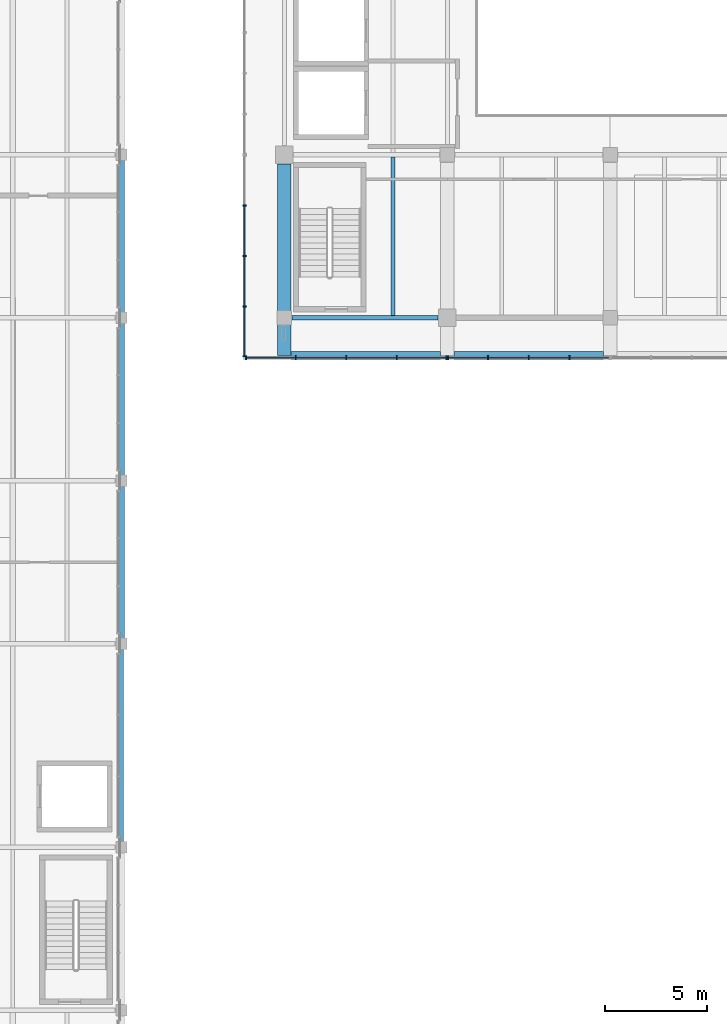
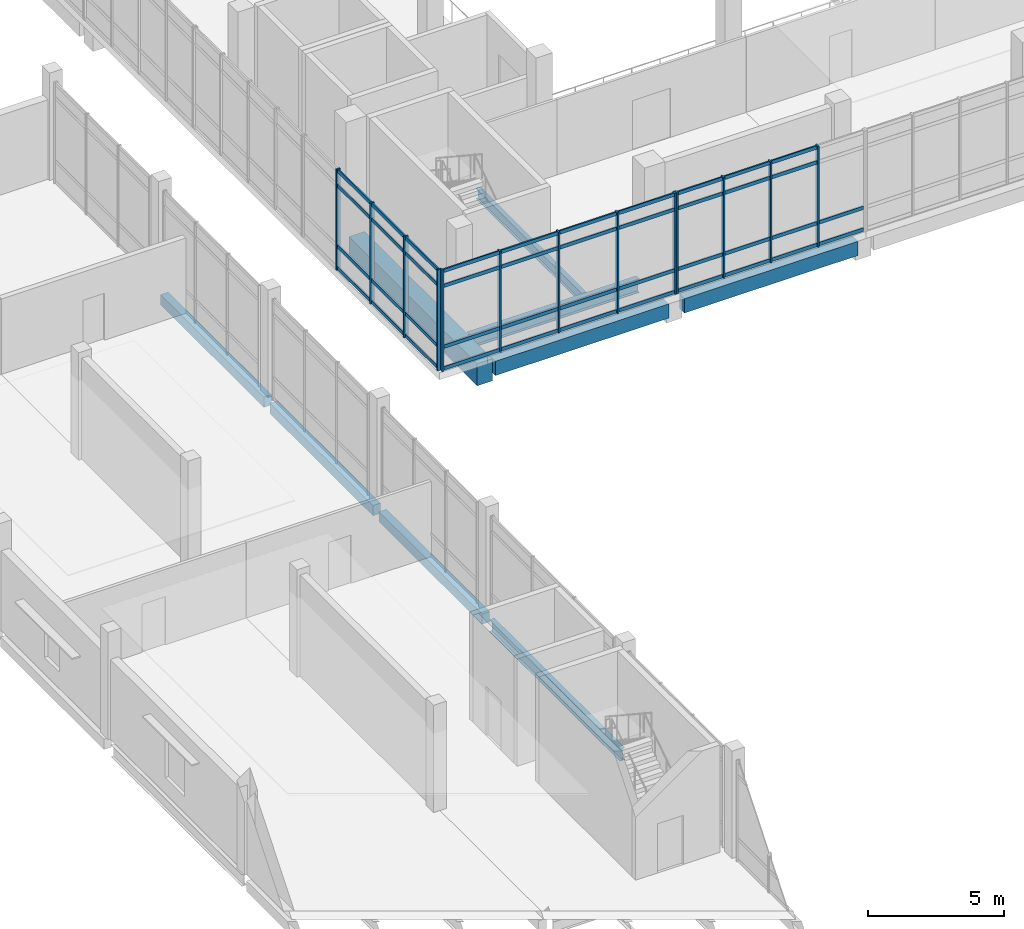
# One storey, part 13 of 47: 55 members, 9 beams, 3 elements without a shape of their own.
"""IFC4 building model written with IfcOpenShell, lengths in metres."""

from ifc_helpers import new_model, si_unit, direction, frame, origin, origin_2d, place, context, subcontext, project, spatial, rectangle, i_section, extrude, material, material_profile, profile_set, type_object, element, aggregate, save


model = new_model("IFC4")

# Units and contexts
model_context = context("Model", 3, precision=1e-05, world=origin(), true_north=direction((0.0, 1.0)))
body_context = subcontext(model_context, "Body", "Model", "MODEL_VIEW")
ifc_project = project(units=[si_unit("LENGTHUNIT", "METRE"), si_unit("AREAUNIT", "SQUARE_METRE"), si_unit("VOLUMEUNIT", "CUBIC_METRE"), si_unit("PLANEANGLEUNIT", "RADIAN"), si_unit("MASSUNIT", "GRAM", prefix="KILO")], contexts=[model_context])

# Site, building, storey
site_placement = place(None, origin())
site = spatial("IfcSite", under=ifc_project, at=site_placement, CompositionType="ELEMENT")
building_placement = place(site_placement, origin())
building = spatial("IfcBuilding", under=site, at=building_placement, Name="Pecanmere Concourse Central Library", CompositionType="ELEMENT")
storey_placement = place(building_placement, frame((0.0, 0.0, 15.300048828125)))
storey = spatial("IfcBuildingStorey", under=building, at=storey_placement, Name="L04", CompositionType="ELEMENT", Elevation=15.300048828125)

# Beams
ifc_material_1 = material(Name="Concrete C40/50", Category="concrete")
ifc_material_profile_1 = material_profile(ifc_material_1, rectangle(XDim=0.320068359375, YDim=0.4599609375, at=origin_2d()), Name="RC 320x460")
ifc_profile_set_1 = profile_set([ifc_material_profile_1], Name="Concrete C40/50")
beam_type_1 = type_object("IfcBeamType", Name="BM_320x460", PredefinedType="BEAM", material=ifc_profile_set_1)
for number, where, z_axis, x_axis, name in (
    (1, (64.0, 74.219970703125, -0.550048828125), (0.0, 1.0, 0.0), (-1.0, 0.0, 0.0), "Primary Girder Y L04-2267"),
    (2, (64.0, 82.219970703125, -0.550048828125), (0.0, 1.0, 0.0), (-1.0, 0.0, 0.0), "Primary Girder Y L04-2268"),
    (3, (64.0, 90.219970703125, -0.550048828125), (0.0, 1.0, 0.0), (-1.0, 0.0, 0.0), "Primary Girder Y L04-2269"),
):
    element("IfcBeam", number, at=place(storey_placement, frame(where, z_axis=z_axis, x_axis=x_axis)), inside=storey, type_object=beam_type_1, Name=name, PredefinedType="BEAM", context=body_context, shape_type="SweptSolid", body=[
        extrude(rectangle(XDim=0.320068359375, YDim=0.4599609375, at=origin_2d()), origin(), (0.0, 0.0, 1.0), 7.56005859375),
    ])

# Curtain wall, members
ifc_material_2 = material(Name="Anodized bronze aluminium alloy 6063-T6", Category="aluminium")
curtain_wall_type = type_object("IfcCurtainWallType", Name="CW_PLUMB_BANDED", PredefinedType="USERDEFINED", material=ifc_material_2)
curtain_wall_1_placement = place(storey_placement, origin())
curtain_wall_1 = element("IfcCurtainWall", 4, at=curtain_wall_1_placement, inside=storey, type_object=curtain_wall_type, Name="Unitised Curtain Wall CW-02 L04-042", ObjectType="UNITISED CURTAIN WALL", PredefinedType="USERDEFINED")
ifc_material_3 = material(Name="Anodized bronze aluminium alloy 6063-T6", Category="aluminium")
ifc_material_profile_2 = material_profile(ifc_material_3, rectangle(XDim=0.06494140625, YDim=0.179931640625, at=origin_2d()), Name="AL 65x180")
ifc_profile_set_2 = profile_set([ifc_material_profile_2], Name="Anodized bronze aluminium alloy 6063-T6")
member_type_1 = type_object("IfcMemberType", Name="CWM_180x65", PredefinedType="MULLION", material=ifc_profile_set_2)
member_1_placement = place(storey_placement, frame((70.111083984375, 88.03857421875, 0.0), z_axis=(0.0, 0.0, 1.0), x_axis=(1.0, 0.0, 0.0)))
member_1 = element("IfcMember", 5, at=member_1_placement, type_object=member_type_1, Name="CW-02 Mullion 1", PredefinedType="MULLION", context=body_context, shape_type="SweptSolid", body=[
    extrude(rectangle(XDim=0.06494140625, YDim=0.179931640625, at=origin_2d()), origin(), (0.0, 0.0, 1.0), 4.52001953125),
])
member_2_placement = place(storey_placement, frame((72.5576171875, 88.03857421875, 0.0), z_axis=(0.0, 0.0, 1.0), x_axis=(1.0, 0.0, 0.0)))
member_2 = element("IfcMember", 6, at=member_2_placement, type_object=member_type_1, Name="CW-02 Mullion 2", PredefinedType="MULLION", context=body_context, shape_type="SweptSolid", body=[
    extrude(rectangle(XDim=0.06494140625, YDim=0.179931640625, at=origin_2d()), origin(), (0.0, 0.0, 1.0), 4.52001953125),
])
member_3_placement = place(storey_placement, frame((75.036865234375, 88.03857421875, 0.0), z_axis=(0.0, 0.0, 1.0), x_axis=(1.0, 0.0, 0.0)))
member_3 = element("IfcMember", 7, at=member_3_placement, type_object=member_type_1, Name="CW-02 Mullion 3", PredefinedType="MULLION", context=body_context, shape_type="SweptSolid", body=[
    extrude(rectangle(XDim=0.06494140625, YDim=0.179931640625, at=origin_2d()), origin(), (0.0, 0.0, 1.0), 4.52001953125),
])
member_4_placement = place(storey_placement, frame((77.515869140625, 88.03857421875, 0.0), z_axis=(0.0, 0.0, 1.0), x_axis=(1.0, 0.0, 0.0)))
member_4 = element("IfcMember", 8, at=member_4_placement, type_object=member_type_1, Name="CW-02 Mullion 4", PredefinedType="MULLION", context=body_context, shape_type="SweptSolid", body=[
    extrude(rectangle(XDim=0.06494140625, YDim=0.179931640625, at=origin_2d()), origin(), (0.0, 0.0, 1.0), 4.52001953125),
])
member_5_placement = place(storey_placement, frame((79.96240234375, 88.03857421875, 0.0), z_axis=(0.0, 0.0, 1.0), x_axis=(1.0, 0.0, 0.0)))
member_5 = element("IfcMember", 9, at=member_5_placement, type_object=member_type_1, Name="CW-02 Mullion 5", PredefinedType="MULLION", context=body_context, shape_type="SweptSolid", body=[
    extrude(rectangle(XDim=0.06494140625, YDim=0.179931640625, at=origin_2d()), origin(), (0.0, 0.0, 1.0), 4.52001953125),
])

curtain_wall_2_placement = place(storey_placement, origin())
curtain_wall_2 = element("IfcCurtainWall", 10, at=curtain_wall_2_placement, inside=storey, type_object=curtain_wall_type, Name="Unitised Curtain Wall CW-02 L04-043", ObjectType="UNITISED CURTAIN WALL", PredefinedType="USERDEFINED")
member_6_placement = place(storey_placement, frame((80.03759765625, 88.03857421875, 0.0), z_axis=(0.0, 0.0, 1.0), x_axis=(1.0, 0.0, 0.0)))
member_6 = element("IfcMember", 11, at=member_6_placement, type_object=member_type_1, Name="CW-02 Mullion 1", PredefinedType="MULLION", context=body_context, shape_type="SweptSolid", body=[
    extrude(rectangle(XDim=0.06494140625, YDim=0.179931640625, at=origin_2d()), origin(), (0.0, 0.0, 1.0), 4.52001953125),
])
member_7_placement = place(storey_placement, frame((82.00244140625, 88.03857421875, 0.0), z_axis=(0.0, 0.0, 1.0), x_axis=(1.0, 0.0, 0.0)))
member_7 = element("IfcMember", 12, at=member_7_placement, type_object=member_type_1, Name="CW-02 Mullion 2", PredefinedType="MULLION", context=body_context, shape_type="SweptSolid", body=[
    extrude(rectangle(XDim=0.06494140625, YDim=0.179931640625, at=origin_2d()), origin(), (0.0, 0.0, 1.0), 4.52001953125),
])
member_8_placement = place(storey_placement, frame((84.0, 88.03857421875, 0.0), z_axis=(0.0, 0.0, 1.0), x_axis=(1.0, 0.0, 0.0)))
member_8 = element("IfcMember", 13, at=member_8_placement, type_object=member_type_1, Name="CW-02 Mullion 3", PredefinedType="MULLION", context=body_context, shape_type="SweptSolid", body=[
    extrude(rectangle(XDim=0.06494140625, YDim=0.179931640625, at=origin_2d()), origin(), (0.0, 0.0, 1.0), 4.52001953125),
])
member_9_placement = place(storey_placement, frame((85.99755859375, 88.03857421875, 0.0), z_axis=(0.0, 0.0, 1.0), x_axis=(1.0, 0.0, 0.0)))
member_9 = element("IfcMember", 14, at=member_9_placement, type_object=member_type_1, Name="CW-02 Mullion 4", PredefinedType="MULLION", context=body_context, shape_type="SweptSolid", body=[
    extrude(rectangle(XDim=0.06494140625, YDim=0.179931640625, at=origin_2d()), origin(), (0.0, 0.0, 1.0), 4.52001953125),
])

curtain_wall_3_placement = place(storey_placement, origin())
curtain_wall_3 = element("IfcCurtainWall", 15, at=curtain_wall_3_placement, inside=storey, type_object=curtain_wall_type, Name="Unitised Curtain Wall CW-02 L04-053", ObjectType="UNITISED CURTAIN WALL", PredefinedType="USERDEFINED")
member_10_placement = place(storey_placement, frame((70.03857421875, 95.515869140625, 0.0), z_axis=(0.0, 0.0, 1.0), x_axis=(0.0, -1.0, 0.0)))
member_10 = element("IfcMember", 16, at=member_10_placement, type_object=member_type_1, Name="CW-02 Mullion 2", PredefinedType="MULLION", context=body_context, shape_type="SweptSolid", body=[
    extrude(rectangle(XDim=0.06494140625, YDim=0.179931640625, at=origin_2d()), origin(), (0.0, 0.0, 1.0), 4.52001953125),
])
member_11_placement = place(storey_placement, frame((70.03857421875, 93.036865234375, 0.0), z_axis=(0.0, 0.0, 1.0), x_axis=(0.0, -1.0, 0.0)))
member_11 = element("IfcMember", 17, at=member_11_placement, type_object=member_type_1, Name="CW-02 Mullion 3", PredefinedType="MULLION", context=body_context, shape_type="SweptSolid", body=[
    extrude(rectangle(XDim=0.06494140625, YDim=0.179931640625, at=origin_2d()), origin(), (0.0, 0.0, 1.0), 4.52001953125),
])
member_12_placement = place(storey_placement, frame((70.03857421875, 90.5576171875, 0.0), z_axis=(0.0, 0.0, 1.0), x_axis=(0.0, -1.0, 0.0)))
member_12 = element("IfcMember", 18, at=member_12_placement, type_object=member_type_1, Name="CW-02 Mullion 4", PredefinedType="MULLION", context=body_context, shape_type="SweptSolid", body=[
    extrude(rectangle(XDim=0.06494140625, YDim=0.179931640625, at=origin_2d()), origin(), (0.0, 0.0, 1.0), 4.52001953125),
])
member_13_placement = place(storey_placement, frame((70.03857421875, 88.111083984375, 0.0), z_axis=(0.0, 0.0, 1.0), x_axis=(0.0, -1.0, 0.0)))
member_13 = element("IfcMember", 19, at=member_13_placement, type_object=member_type_1, Name="CW-02 Mullion 5", PredefinedType="MULLION", context=body_context, shape_type="SweptSolid", body=[
    extrude(rectangle(XDim=0.06494140625, YDim=0.179931640625, at=origin_2d()), origin(), (0.0, 0.0, 1.0), 4.52001953125),
])

# Member
ifc_material_4 = material(Name="Anodized bronze aluminium alloy 6063-T6", Category="aluminium")
ifc_material_profile_3 = material_profile(ifc_material_4, rectangle(XDim=0.06005859375, YDim=0.159912109375, at=origin_2d()), Name="AL 60x160")
ifc_profile_set_3 = profile_set([ifc_material_profile_3], Name="Anodized bronze aluminium alloy 6063-T6")
member_type_2 = type_object("IfcMemberType", Name="CWT_160x60", PredefinedType="USERDEFINED", material=ifc_profile_set_3)
member_14_placement = place(storey_placement, frame((70.1435546875, 88.03857421875, 0.079833984375), z_axis=(1.0, 0.0, 0.0), x_axis=(0.0, 1.0, 0.0)))
member_14 = element("IfcMember", 20, at=member_14_placement, type_object=member_type_2, Name="CW-02 Transom 1.1", ObjectType="TRANSOM", PredefinedType="USERDEFINED", context=body_context, shape_type="SweptSolid", body=[
    extrude(rectangle(XDim=0.06005859375, YDim=0.159912109375, at=origin_2d()), origin(), (0.0, 0.0, 1.0), 2.381591796875),
])

member_15_placement = place(storey_placement, frame((70.1435546875, 88.03857421875, 1.050048828125), z_axis=(1.0, 0.0, 0.0), x_axis=(0.0, 1.0, 0.0)))
member_15 = element("IfcMember", 21, at=member_15_placement, type_object=member_type_2, Name="CW-02 Transom 1.2", ObjectType="TRANSOM", PredefinedType="USERDEFINED", context=body_context, shape_type="SweptSolid", body=[
    extrude(rectangle(XDim=0.06005859375, YDim=0.159912109375, at=origin_2d()), origin(), (0.0, 0.0, 1.0), 2.381591796875),
])

member_16_placement = place(storey_placement, frame((70.1435546875, 88.03857421875, 3.77001953125), z_axis=(1.0, 0.0, 0.0), x_axis=(0.0, 1.0, 0.0)))
member_16 = element("IfcMember", 22, at=member_16_placement, type_object=member_type_2, Name="CW-02 Transom 1.3", ObjectType="TRANSOM", PredefinedType="USERDEFINED", context=body_context, shape_type="SweptSolid", body=[
    extrude(rectangle(XDim=0.06005859375, YDim=0.159912109375, at=origin_2d()), origin(), (0.0, 0.0, 1.0), 2.381591796875),
])

member_17_placement = place(storey_placement, frame((70.1435546875, 88.03857421875, 4.43994140625), z_axis=(1.0, 0.0, 0.0), x_axis=(0.0, 1.0, 0.0)))
member_17 = element("IfcMember", 23, at=member_17_placement, type_object=member_type_2, Name="CW-02 Transom 1.4", ObjectType="TRANSOM", PredefinedType="USERDEFINED", context=body_context, shape_type="SweptSolid", body=[
    extrude(rectangle(XDim=0.06005859375, YDim=0.159912109375, at=origin_2d()), origin(), (0.0, 0.0, 1.0), 2.381591796875),
])

member_18_placement = place(storey_placement, frame((72.590087890625, 88.03857421875, 0.079833984375), z_axis=(1.0, 0.0, 0.0), x_axis=(0.0, 1.0, 0.0)))
member_18 = element("IfcMember", 24, at=member_18_placement, type_object=member_type_2, Name="CW-02 Transom 2.1", ObjectType="TRANSOM", PredefinedType="USERDEFINED", context=body_context, shape_type="SweptSolid", body=[
    extrude(rectangle(XDim=0.06005859375, YDim=0.159912109375, at=origin_2d()), origin(), (0.0, 0.0, 1.0), 2.4140625),
])

member_19_placement = place(storey_placement, frame((72.590087890625, 88.03857421875, 1.050048828125), z_axis=(1.0, 0.0, 0.0), x_axis=(0.0, 1.0, 0.0)))
member_19 = element("IfcMember", 25, at=member_19_placement, type_object=member_type_2, Name="CW-02 Transom 2.2", ObjectType="TRANSOM", PredefinedType="USERDEFINED", context=body_context, shape_type="SweptSolid", body=[
    extrude(rectangle(XDim=0.06005859375, YDim=0.159912109375, at=origin_2d()), origin(), (0.0, 0.0, 1.0), 2.4140625),
])

member_20_placement = place(storey_placement, frame((72.590087890625, 88.03857421875, 3.77001953125), z_axis=(1.0, 0.0, 0.0), x_axis=(0.0, 1.0, 0.0)))
member_20 = element("IfcMember", 26, at=member_20_placement, type_object=member_type_2, Name="CW-02 Transom 2.3", ObjectType="TRANSOM", PredefinedType="USERDEFINED", context=body_context, shape_type="SweptSolid", body=[
    extrude(rectangle(XDim=0.06005859375, YDim=0.159912109375, at=origin_2d()), origin(), (0.0, 0.0, 1.0), 2.4140625),
])

member_21_placement = place(storey_placement, frame((72.590087890625, 88.03857421875, 4.43994140625), z_axis=(1.0, 0.0, 0.0), x_axis=(0.0, 1.0, 0.0)))
member_21 = element("IfcMember", 27, at=member_21_placement, type_object=member_type_2, Name="CW-02 Transom 2.4", ObjectType="TRANSOM", PredefinedType="USERDEFINED", context=body_context, shape_type="SweptSolid", body=[
    extrude(rectangle(XDim=0.06005859375, YDim=0.159912109375, at=origin_2d()), origin(), (0.0, 0.0, 1.0), 2.4140625),
])

member_22_placement = place(storey_placement, frame((75.0693359375, 88.03857421875, 0.079833984375), z_axis=(1.0, 0.0, 0.0), x_axis=(0.0, 1.0, 0.0)))
member_22 = element("IfcMember", 28, at=member_22_placement, type_object=member_type_2, Name="CW-02 Transom 3.1", ObjectType="TRANSOM", PredefinedType="USERDEFINED", context=body_context, shape_type="SweptSolid", body=[
    extrude(rectangle(XDim=0.06005859375, YDim=0.159912109375, at=origin_2d()), origin(), (0.0, 0.0, 1.0), 2.4140625),
])

member_23_placement = place(storey_placement, frame((75.0693359375, 88.03857421875, 1.050048828125), z_axis=(1.0, 0.0, 0.0), x_axis=(0.0, 1.0, 0.0)))
member_23 = element("IfcMember", 29, at=member_23_placement, type_object=member_type_2, Name="CW-02 Transom 3.2", ObjectType="TRANSOM", PredefinedType="USERDEFINED", context=body_context, shape_type="SweptSolid", body=[
    extrude(rectangle(XDim=0.06005859375, YDim=0.159912109375, at=origin_2d()), origin(), (0.0, 0.0, 1.0), 2.4140625),
])

member_24_placement = place(storey_placement, frame((75.0693359375, 88.03857421875, 3.77001953125), z_axis=(1.0, 0.0, 0.0), x_axis=(0.0, 1.0, 0.0)))
member_24 = element("IfcMember", 30, at=member_24_placement, type_object=member_type_2, Name="CW-02 Transom 3.3", ObjectType="TRANSOM", PredefinedType="USERDEFINED", context=body_context, shape_type="SweptSolid", body=[
    extrude(rectangle(XDim=0.06005859375, YDim=0.159912109375, at=origin_2d()), origin(), (0.0, 0.0, 1.0), 2.4140625),
])

member_25_placement = place(storey_placement, frame((75.0693359375, 88.03857421875, 4.43994140625), z_axis=(1.0, 0.0, 0.0), x_axis=(0.0, 1.0, 0.0)))
member_25 = element("IfcMember", 31, at=member_25_placement, type_object=member_type_2, Name="CW-02 Transom 3.4", ObjectType="TRANSOM", PredefinedType="USERDEFINED", context=body_context, shape_type="SweptSolid", body=[
    extrude(rectangle(XDim=0.06005859375, YDim=0.159912109375, at=origin_2d()), origin(), (0.0, 0.0, 1.0), 2.4140625),
])

member_26_placement = place(storey_placement, frame((77.54833984375, 88.03857421875, 0.079833984375), z_axis=(1.0, 0.0, 0.0), x_axis=(0.0, 1.0, 0.0)))
member_26 = element("IfcMember", 32, at=member_26_placement, type_object=member_type_2, Name="CW-02 Transom 4.1", ObjectType="TRANSOM", PredefinedType="USERDEFINED", context=body_context, shape_type="SweptSolid", body=[
    extrude(rectangle(XDim=0.06005859375, YDim=0.159912109375, at=origin_2d()), origin(), (0.0, 0.0, 1.0), 2.381591796875),
])

member_27_placement = place(storey_placement, frame((77.54833984375, 88.03857421875, 1.050048828125), z_axis=(1.0, 0.0, 0.0), x_axis=(0.0, 1.0, 0.0)))
member_27 = element("IfcMember", 33, at=member_27_placement, type_object=member_type_2, Name="CW-02 Transom 4.2", ObjectType="TRANSOM", PredefinedType="USERDEFINED", context=body_context, shape_type="SweptSolid", body=[
    extrude(rectangle(XDim=0.06005859375, YDim=0.159912109375, at=origin_2d()), origin(), (0.0, 0.0, 1.0), 2.381591796875),
])

member_28_placement = place(storey_placement, frame((77.54833984375, 88.03857421875, 3.77001953125), z_axis=(1.0, 0.0, 0.0), x_axis=(0.0, 1.0, 0.0)))
member_28 = element("IfcMember", 34, at=member_28_placement, type_object=member_type_2, Name="CW-02 Transom 4.3", ObjectType="TRANSOM", PredefinedType="USERDEFINED", context=body_context, shape_type="SweptSolid", body=[
    extrude(rectangle(XDim=0.06005859375, YDim=0.159912109375, at=origin_2d()), origin(), (0.0, 0.0, 1.0), 2.381591796875),
])

member_29_placement = place(storey_placement, frame((77.54833984375, 88.03857421875, 4.43994140625), z_axis=(1.0, 0.0, 0.0), x_axis=(0.0, 1.0, 0.0)))
member_29 = element("IfcMember", 35, at=member_29_placement, type_object=member_type_2, Name="CW-02 Transom 4.4", ObjectType="TRANSOM", PredefinedType="USERDEFINED", context=body_context, shape_type="SweptSolid", body=[
    extrude(rectangle(XDim=0.06005859375, YDim=0.159912109375, at=origin_2d()), origin(), (0.0, 0.0, 1.0), 2.381591796875),
])

aggregate(curtain_wall_1, [member_1, member_2, member_3, member_4, member_5, member_14, member_15, member_16, member_17, member_18, member_19, member_20, member_21, member_22, member_23, member_24, member_25, member_26, member_27, member_28, member_29])

member_30_placement = place(storey_placement, frame((80.070068359375, 88.03857421875, 0.079833984375), z_axis=(1.0, 0.0, 0.0), x_axis=(0.0, 1.0, 0.0)))
member_30 = element("IfcMember", 36, at=member_30_placement, type_object=member_type_2, Name="CW-02 Transom 1.1", ObjectType="TRANSOM", PredefinedType="USERDEFINED", context=body_context, shape_type="SweptSolid", body=[
    extrude(rectangle(XDim=0.06005859375, YDim=0.159912109375, at=origin_2d()), origin(), (0.0, 0.0, 1.0), 1.89990234375),
])

member_31_placement = place(storey_placement, frame((80.070068359375, 88.03857421875, 1.050048828125), z_axis=(1.0, 0.0, 0.0), x_axis=(0.0, 1.0, 0.0)))
member_31 = element("IfcMember", 37, at=member_31_placement, type_object=member_type_2, Name="CW-02 Transom 1.2", ObjectType="TRANSOM", PredefinedType="USERDEFINED", context=body_context, shape_type="SweptSolid", body=[
    extrude(rectangle(XDim=0.06005859375, YDim=0.159912109375, at=origin_2d()), origin(), (0.0, 0.0, 1.0), 1.89990234375),
])

member_32_placement = place(storey_placement, frame((80.070068359375, 88.03857421875, 3.77001953125), z_axis=(1.0, 0.0, 0.0), x_axis=(0.0, 1.0, 0.0)))
member_32 = element("IfcMember", 38, at=member_32_placement, type_object=member_type_2, Name="CW-02 Transom 1.3", ObjectType="TRANSOM", PredefinedType="USERDEFINED", context=body_context, shape_type="SweptSolid", body=[
    extrude(rectangle(XDim=0.06005859375, YDim=0.159912109375, at=origin_2d()), origin(), (0.0, 0.0, 1.0), 1.89990234375),
])

member_33_placement = place(storey_placement, frame((80.070068359375, 88.03857421875, 4.43994140625), z_axis=(1.0, 0.0, 0.0), x_axis=(0.0, 1.0, 0.0)))
member_33 = element("IfcMember", 39, at=member_33_placement, type_object=member_type_2, Name="CW-02 Transom 1.4", ObjectType="TRANSOM", PredefinedType="USERDEFINED", context=body_context, shape_type="SweptSolid", body=[
    extrude(rectangle(XDim=0.06005859375, YDim=0.159912109375, at=origin_2d()), origin(), (0.0, 0.0, 1.0), 1.89990234375),
])

member_34_placement = place(storey_placement, frame((82.034912109375, 88.03857421875, 0.079833984375), z_axis=(1.0, 0.0, 0.0), x_axis=(0.0, 1.0, 0.0)))
member_34 = element("IfcMember", 40, at=member_34_placement, type_object=member_type_2, Name="CW-02 Transom 2.1", ObjectType="TRANSOM", PredefinedType="USERDEFINED", context=body_context, shape_type="SweptSolid", body=[
    extrude(rectangle(XDim=0.06005859375, YDim=0.159912109375, at=origin_2d()), origin(), (0.0, 0.0, 1.0), 1.9326171875),
])

member_35_placement = place(storey_placement, frame((82.034912109375, 88.03857421875, 1.050048828125), z_axis=(1.0, 0.0, 0.0), x_axis=(0.0, 1.0, 0.0)))
member_35 = element("IfcMember", 41, at=member_35_placement, type_object=member_type_2, Name="CW-02 Transom 2.2", ObjectType="TRANSOM", PredefinedType="USERDEFINED", context=body_context, shape_type="SweptSolid", body=[
    extrude(rectangle(XDim=0.06005859375, YDim=0.159912109375, at=origin_2d()), origin(), (0.0, 0.0, 1.0), 1.9326171875),
])

member_36_placement = place(storey_placement, frame((82.034912109375, 88.03857421875, 3.77001953125), z_axis=(1.0, 0.0, 0.0), x_axis=(0.0, 1.0, 0.0)))
member_36 = element("IfcMember", 42, at=member_36_placement, type_object=member_type_2, Name="CW-02 Transom 2.3", ObjectType="TRANSOM", PredefinedType="USERDEFINED", context=body_context, shape_type="SweptSolid", body=[
    extrude(rectangle(XDim=0.06005859375, YDim=0.159912109375, at=origin_2d()), origin(), (0.0, 0.0, 1.0), 1.9326171875),
])

member_37_placement = place(storey_placement, frame((82.034912109375, 88.03857421875, 4.43994140625), z_axis=(1.0, 0.0, 0.0), x_axis=(0.0, 1.0, 0.0)))
member_37 = element("IfcMember", 43, at=member_37_placement, type_object=member_type_2, Name="CW-02 Transom 2.4", ObjectType="TRANSOM", PredefinedType="USERDEFINED", context=body_context, shape_type="SweptSolid", body=[
    extrude(rectangle(XDim=0.06005859375, YDim=0.159912109375, at=origin_2d()), origin(), (0.0, 0.0, 1.0), 1.9326171875),
])

member_38_placement = place(storey_placement, frame((84.032470703125, 88.03857421875, 0.079833984375), z_axis=(1.0, 0.0, 0.0), x_axis=(0.0, 1.0, 0.0)))
member_38 = element("IfcMember", 44, at=member_38_placement, type_object=member_type_2, Name="CW-02 Transom 3.1", ObjectType="TRANSOM", PredefinedType="USERDEFINED", context=body_context, shape_type="SweptSolid", body=[
    extrude(rectangle(XDim=0.06005859375, YDim=0.159912109375, at=origin_2d()), origin(), (0.0, 0.0, 1.0), 1.9326171875),
])

member_39_placement = place(storey_placement, frame((84.032470703125, 88.03857421875, 1.050048828125), z_axis=(1.0, 0.0, 0.0), x_axis=(0.0, 1.0, 0.0)))
member_39 = element("IfcMember", 45, at=member_39_placement, type_object=member_type_2, Name="CW-02 Transom 3.2", ObjectType="TRANSOM", PredefinedType="USERDEFINED", context=body_context, shape_type="SweptSolid", body=[
    extrude(rectangle(XDim=0.06005859375, YDim=0.159912109375, at=origin_2d()), origin(), (0.0, 0.0, 1.0), 1.9326171875),
])

member_40_placement = place(storey_placement, frame((84.032470703125, 88.03857421875, 3.77001953125), z_axis=(1.0, 0.0, 0.0), x_axis=(0.0, 1.0, 0.0)))
member_40 = element("IfcMember", 46, at=member_40_placement, type_object=member_type_2, Name="CW-02 Transom 3.3", ObjectType="TRANSOM", PredefinedType="USERDEFINED", context=body_context, shape_type="SweptSolid", body=[
    extrude(rectangle(XDim=0.06005859375, YDim=0.159912109375, at=origin_2d()), origin(), (0.0, 0.0, 1.0), 1.9326171875),
])

member_41_placement = place(storey_placement, frame((84.032470703125, 88.03857421875, 4.43994140625), z_axis=(1.0, 0.0, 0.0), x_axis=(0.0, 1.0, 0.0)))
member_41 = element("IfcMember", 47, at=member_41_placement, type_object=member_type_2, Name="CW-02 Transom 3.4", ObjectType="TRANSOM", PredefinedType="USERDEFINED", context=body_context, shape_type="SweptSolid", body=[
    extrude(rectangle(XDim=0.06005859375, YDim=0.159912109375, at=origin_2d()), origin(), (0.0, 0.0, 1.0), 1.9326171875),
])

member_42_placement = place(storey_placement, frame((86.030029296875, 88.03857421875, 0.079833984375), z_axis=(1.0, 0.0, 0.0), x_axis=(0.0, 1.0, 0.0)))
member_42 = element("IfcMember", 48, at=member_42_placement, type_object=member_type_2, Name="CW-02 Transom 4.1", ObjectType="TRANSOM", PredefinedType="USERDEFINED", context=body_context, shape_type="SweptSolid", body=[
    extrude(rectangle(XDim=0.06005859375, YDim=0.159912109375, at=origin_2d()), origin(), (0.0, 0.0, 1.0), 1.89990234375),
])

member_43_placement = place(storey_placement, frame((86.030029296875, 88.03857421875, 1.050048828125), z_axis=(1.0, 0.0, 0.0), x_axis=(0.0, 1.0, 0.0)))
member_43 = element("IfcMember", 49, at=member_43_placement, type_object=member_type_2, Name="CW-02 Transom 4.2", ObjectType="TRANSOM", PredefinedType="USERDEFINED", context=body_context, shape_type="SweptSolid", body=[
    extrude(rectangle(XDim=0.06005859375, YDim=0.159912109375, at=origin_2d()), origin(), (0.0, 0.0, 1.0), 1.89990234375),
])

aggregate(curtain_wall_2, [member_6, member_7, member_8, member_9, member_30, member_31, member_32, member_33, member_34, member_35, member_36, member_37, member_38, member_39, member_40, member_41, member_42, member_43])

member_44_placement = place(storey_placement, frame((70.03857421875, 95.4833984375, 0.079833984375), z_axis=(0.0, -1.0, 0.0), x_axis=(1.0, 0.0, 0.0)))
member_44 = element("IfcMember", 50, at=member_44_placement, type_object=member_type_2, Name="CW-02 Transom 2.1", ObjectType="TRANSOM", PredefinedType="USERDEFINED", context=body_context, shape_type="SweptSolid", body=[
    extrude(rectangle(XDim=0.06005859375, YDim=0.159912109375, at=origin_2d()), origin(), (0.0, 0.0, 1.0), 2.4140625),
])

member_45_placement = place(storey_placement, frame((70.03857421875, 95.4833984375, 1.050048828125), z_axis=(0.0, -1.0, 0.0), x_axis=(1.0, 0.0, 0.0)))
member_45 = element("IfcMember", 51, at=member_45_placement, type_object=member_type_2, Name="CW-02 Transom 2.2", ObjectType="TRANSOM", PredefinedType="USERDEFINED", context=body_context, shape_type="SweptSolid", body=[
    extrude(rectangle(XDim=0.06005859375, YDim=0.159912109375, at=origin_2d()), origin(), (0.0, 0.0, 1.0), 2.4140625),
])

member_46_placement = place(storey_placement, frame((70.03857421875, 95.4833984375, 3.77001953125), z_axis=(0.0, -1.0, 0.0), x_axis=(1.0, 0.0, 0.0)))
member_46 = element("IfcMember", 52, at=member_46_placement, type_object=member_type_2, Name="CW-02 Transom 2.3", ObjectType="TRANSOM", PredefinedType="USERDEFINED", context=body_context, shape_type="SweptSolid", body=[
    extrude(rectangle(XDim=0.06005859375, YDim=0.159912109375, at=origin_2d()), origin(), (0.0, 0.0, 1.0), 2.4140625),
])

member_47_placement = place(storey_placement, frame((70.03857421875, 95.4833984375, 4.43994140625), z_axis=(0.0, -1.0, 0.0), x_axis=(1.0, 0.0, 0.0)))
member_47 = element("IfcMember", 53, at=member_47_placement, type_object=member_type_2, Name="CW-02 Transom 2.4", ObjectType="TRANSOM", PredefinedType="USERDEFINED", context=body_context, shape_type="SweptSolid", body=[
    extrude(rectangle(XDim=0.06005859375, YDim=0.159912109375, at=origin_2d()), origin(), (0.0, 0.0, 1.0), 2.4140625),
])

member_48_placement = place(storey_placement, frame((70.03857421875, 93.004150390625, 0.079833984375), z_axis=(0.0, -1.0, 0.0), x_axis=(1.0, 0.0, 0.0)))
member_48 = element("IfcMember", 54, at=member_48_placement, type_object=member_type_2, Name="CW-02 Transom 3.1", ObjectType="TRANSOM", PredefinedType="USERDEFINED", context=body_context, shape_type="SweptSolid", body=[
    extrude(rectangle(XDim=0.06005859375, YDim=0.159912109375, at=origin_2d()), origin(), (0.0, 0.0, 1.0), 2.4140625),
])

member_49_placement = place(storey_placement, frame((70.03857421875, 93.004150390625, 1.050048828125), z_axis=(0.0, -1.0, 0.0), x_axis=(1.0, 0.0, 0.0)))
member_49 = element("IfcMember", 55, at=member_49_placement, type_object=member_type_2, Name="CW-02 Transom 3.2", ObjectType="TRANSOM", PredefinedType="USERDEFINED", context=body_context, shape_type="SweptSolid", body=[
    extrude(rectangle(XDim=0.06005859375, YDim=0.159912109375, at=origin_2d()), origin(), (0.0, 0.0, 1.0), 2.4140625),
])

member_50_placement = place(storey_placement, frame((70.03857421875, 93.004150390625, 3.77001953125), z_axis=(0.0, -1.0, 0.0), x_axis=(1.0, 0.0, 0.0)))
member_50 = element("IfcMember", 56, at=member_50_placement, type_object=member_type_2, Name="CW-02 Transom 3.3", ObjectType="TRANSOM", PredefinedType="USERDEFINED", context=body_context, shape_type="SweptSolid", body=[
    extrude(rectangle(XDim=0.06005859375, YDim=0.159912109375, at=origin_2d()), origin(), (0.0, 0.0, 1.0), 2.4140625),
])

member_51_placement = place(storey_placement, frame((70.03857421875, 93.004150390625, 4.43994140625), z_axis=(0.0, -1.0, 0.0), x_axis=(1.0, 0.0, 0.0)))
member_51 = element("IfcMember", 57, at=member_51_placement, type_object=member_type_2, Name="CW-02 Transom 3.4", ObjectType="TRANSOM", PredefinedType="USERDEFINED", context=body_context, shape_type="SweptSolid", body=[
    extrude(rectangle(XDim=0.06005859375, YDim=0.159912109375, at=origin_2d()), origin(), (0.0, 0.0, 1.0), 2.4140625),
])

member_52_placement = place(storey_placement, frame((70.03857421875, 90.525146484375, 0.079833984375), z_axis=(0.0, -1.0, 0.0), x_axis=(1.0, 0.0, 0.0)))
member_52 = element("IfcMember", 58, at=member_52_placement, type_object=member_type_2, Name="CW-02 Transom 4.1", ObjectType="TRANSOM", PredefinedType="USERDEFINED", context=body_context, shape_type="SweptSolid", body=[
    extrude(rectangle(XDim=0.06005859375, YDim=0.159912109375, at=origin_2d()), origin(), (0.0, 0.0, 1.0), 2.381591796875),
])

member_53_placement = place(storey_placement, frame((70.03857421875, 90.525146484375, 1.050048828125), z_axis=(0.0, -1.0, 0.0), x_axis=(1.0, 0.0, 0.0)))
member_53 = element("IfcMember", 59, at=member_53_placement, type_object=member_type_2, Name="CW-02 Transom 4.2", ObjectType="TRANSOM", PredefinedType="USERDEFINED", context=body_context, shape_type="SweptSolid", body=[
    extrude(rectangle(XDim=0.06005859375, YDim=0.159912109375, at=origin_2d()), origin(), (0.0, 0.0, 1.0), 2.381591796875),
])

member_54_placement = place(storey_placement, frame((70.03857421875, 90.525146484375, 3.77001953125), z_axis=(0.0, -1.0, 0.0), x_axis=(1.0, 0.0, 0.0)))
member_54 = element("IfcMember", 60, at=member_54_placement, type_object=member_type_2, Name="CW-02 Transom 4.3", ObjectType="TRANSOM", PredefinedType="USERDEFINED", context=body_context, shape_type="SweptSolid", body=[
    extrude(rectangle(XDim=0.06005859375, YDim=0.159912109375, at=origin_2d()), origin(), (0.0, 0.0, 1.0), 2.381591796875),
])

member_55_placement = place(storey_placement, frame((70.03857421875, 90.525146484375, 4.43994140625), z_axis=(0.0, -1.0, 0.0), x_axis=(1.0, 0.0, 0.0)))
member_55 = element("IfcMember", 61, at=member_55_placement, type_object=member_type_2, Name="CW-02 Transom 4.4", ObjectType="TRANSOM", PredefinedType="USERDEFINED", context=body_context, shape_type="SweptSolid", body=[
    extrude(rectangle(XDim=0.06005859375, YDim=0.159912109375, at=origin_2d()), origin(), (0.0, 0.0, 1.0), 2.381591796875),
])

aggregate(curtain_wall_3, [member_10, member_11, member_12, member_13, member_44, member_45, member_46, member_47, member_48, member_49, member_50, member_51, member_52, member_53, member_54, member_55])

# Beams
ifc_material_5 = material(Name="Concrete C40/50", Category="concrete")
ifc_material_profile_4 = material_profile(ifc_material_5, rectangle(XDim=0.659912109375, YDim=0.97998046875, at=origin_2d()), Name="RC 660x980")
ifc_profile_set_4 = profile_set([ifc_material_profile_4], Name="Concrete C40/50")
beam_type_2 = type_object("IfcBeamType", Name="GRD_660x980", PredefinedType="USERDEFINED", material=ifc_profile_set_4)
beam_1_placement = place(storey_placement, frame((72.0, 88.1484375, -0.81005859375), z_axis=(0.0, 1.0, 0.0), x_axis=(-1.0, 0.0, 0.0)))
element("IfcBeam", 62, at=beam_1_placement, inside=storey, type_object=beam_type_2, Name="Primary Girder Y L04-2271", ObjectType="GIRDER", PredefinedType="USERDEFINED", context=body_context, shape_type="SweptSolid", body=[
    extrude(rectangle(XDim=0.659912109375, YDim=0.97998046875, at=origin_2d()), origin(), (0.0, 0.0, 1.0), 9.3916015625),
])
ifc_material_6 = material(Name="Structural steel ASTM A992 Grade 50", Category="steel")
ifc_material_profile_5 = material_profile(ifc_material_6, i_section(OverallWidth=0.194091796875, OverallDepth=0.468994140625, WebThickness=0.0126953125, FlangeThickness=0.0205078125, at=origin_2d()), Name="W460x106")
ifc_profile_set_5 = profile_set([ifc_material_profile_5], Name="Structural steel ASTM A992 Grade 50")
beam_type_3 = type_object("IfcBeamType", Name="SBM_W460x106", PredefinedType="USERDEFINED", material=ifc_profile_set_5)
beam_2_placement = place(storey_placement, frame((77.333251953125, 90.114990234375, -0.554443359375), z_axis=(0.0, 1.0, 0.0), x_axis=(-1.0, 0.0, 0.0)))
element("IfcBeam", 63, at=beam_2_placement, inside=storey, type_object=beam_type_3, Name="Secondary Floor Joist L04-2382", ObjectType="GIRDER", PredefinedType="USERDEFINED", context=body_context, shape_type="SweptSolid", body=[
    extrude(i_section(OverallWidth=0.194091796875, OverallDepth=0.468994140625, WebThickness=0.0126953125, FlangeThickness=0.0205078125, at=origin_2d()), origin(), (0.0, 0.0, 1.0), 7.77001953125),
])
ifc_material_7 = material(Name="Structural steel ASTM A992 Grade 50", Category="steel")
ifc_material_profile_6 = material_profile(ifc_material_7, i_section(OverallWidth=0.2109375, OverallDepth=0.5390625, WebThickness=0.01171875, FlangeThickness=0.018798828125, at=origin_2d()), Name="W530x109")
ifc_profile_set_6 = profile_set([ifc_material_profile_6], Name="Structural steel ASTM A992 Grade 50")
beam_type_4 = type_object("IfcBeamType", Name="SBM_W530x109", PredefinedType="USERDEFINED", material=ifc_profile_set_6)
beam_3_placement = place(storey_placement, frame((64.0, 64.219970703125, -0.589599609375), z_axis=(0.0, 1.0, 0.0), x_axis=(-1.0, 0.0, 0.0)))
element("IfcBeam", 64, at=beam_3_placement, inside=storey, type_object=beam_type_4, Name="Primary Girder Y L04-2266", ObjectType="GIRDER", PredefinedType="USERDEFINED", context=body_context, shape_type="SweptSolid", body=[
    extrude(i_section(OverallWidth=0.2109375, OverallDepth=0.5390625, WebThickness=0.01171875, FlangeThickness=0.018798828125, at=origin_2d()), origin(), (0.0, 0.0, 1.0), 9.56005859375),
])
ifc_material_8 = material(Name="Structural steel ASTM A992 Grade 50", Category="steel")
ifc_material_profile_7 = material_profile(ifc_material_8, i_section(OverallWidth=0.22998046875, OverallDepth=0.616943359375, WebThickness=0.01318359375, FlangeThickness=0.022216796875, at=origin_2d()), Name="W610x140")
ifc_profile_set_7 = profile_set([ifc_material_profile_7], Name="Structural steel ASTM A992 Grade 50")
beam_type_5 = type_object("IfcBeamType", Name="SBM_W610x140", PredefinedType="USERDEFINED", material=ifc_profile_set_7)
beam_4_placement = place(storey_placement, frame((72.375, 90.0, -0.628662109375), z_axis=(1.0, 0.0, 0.0), x_axis=(0.0, 1.0, 0.0)))
element("IfcBeam", 65, at=beam_4_placement, inside=storey, type_object=beam_type_5, Name="Primary Girder X L04-2183", ObjectType="GIRDER", PredefinedType="USERDEFINED", context=body_context, shape_type="SweptSolid", body=[
    extrude(i_section(OverallWidth=0.22998046875, OverallDepth=0.616943359375, WebThickness=0.01318359375, FlangeThickness=0.022216796875, at=origin_2d()), origin(), (0.0, 0.0, 1.0), 7.1650390625),
])
ifc_material_9 = material(Name="Concrete C40/50", Category="concrete")
ifc_material_profile_8 = material_profile(ifc_material_9, rectangle(XDim=0.3798828125, YDim=0.639892578125, at=origin_2d()), Name="RC 380x640")
ifc_profile_set_8 = profile_set([ifc_material_profile_8], Name="Concrete C40/50")
beam_type_6 = type_object("IfcBeamType", Name="SPB_380x640", PredefinedType="BEAM", material=ifc_profile_set_8)
for number, where, z_axis, x_axis, name in (
    (66, (72.330078125, 88.1484375, -0.64013671875), (1.0, 0.0, 0.0), (0.0, 1.0, 0.0), "Leaning Facade Edge Beam L04-2338"),
    (67, (80.330078125, 88.1484375, -0.64013671875), (1.0, 0.0, 0.0), (0.0, 1.0, 0.0), "Leaning Facade Edge Beam L04-2339"),
):
    element("IfcBeam", number, at=place(storey_placement, frame(where, z_axis=z_axis, x_axis=x_axis)), inside=storey, type_object=beam_type_6, Name=name, PredefinedType="BEAM", context=body_context, shape_type="SweptSolid", body=[
        extrude(rectangle(XDim=0.3798828125, YDim=0.639892578125, at=origin_2d()), origin(), (0.0, 0.0, 1.0), 7.33984375),
    ])

save(model, "model.ifc")
